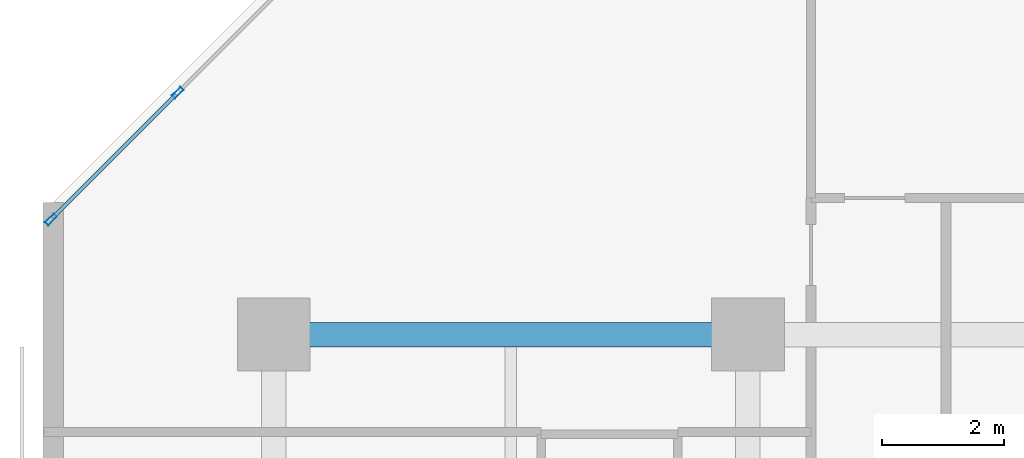
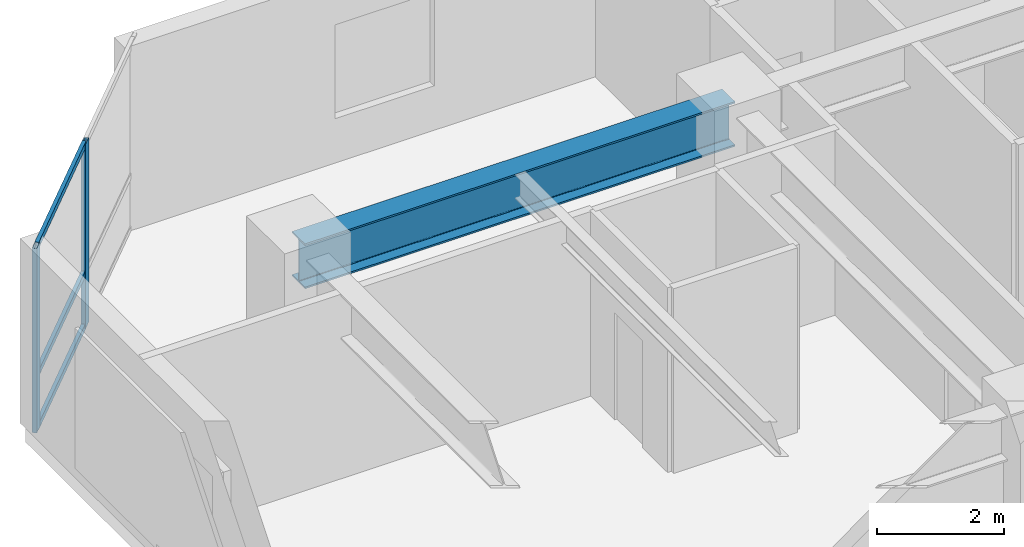
# One storey, part 3 of 12: 5 members, 1 beam, 1 element without a shape of its own.
"""IFC4 building model written with IfcOpenShell, lengths in metres."""

from ifc_helpers import new_model, si_unit, direction, frame, origin, origin_2d, place, context, subcontext, project, spatial, hollow_rectangle, i_section, extrude, material, layer, layer_set, material_profile, profile_set, type_object, element, aggregate, save


model = new_model("IFC4")

# Units and contexts
model_context = context("Model", 3, precision=1e-05, world=origin(), true_north=direction((0.0, 1.0)))
body_context = subcontext(model_context, "Body", "Model", "MODEL_VIEW")
ifc_project = project(units=[si_unit("LENGTHUNIT", "METRE"), si_unit("AREAUNIT", "SQUARE_METRE"), si_unit("VOLUMEUNIT", "CUBIC_METRE"), si_unit("PLANEANGLEUNIT", "RADIAN"), si_unit("MASSUNIT", "GRAM", prefix="KILO")], contexts=[model_context])

# Site, building, storey
site_placement = place(None, origin())
site = spatial("IfcSite", under=ifc_project, at=site_placement, CompositionType="ELEMENT")
building_placement = place(site_placement, origin())
building = spatial("IfcBuilding", under=site, at=building_placement, Name="Kestravale Grand Hotel", CompositionType="ELEMENT")
storey_placement = place(building_placement, frame((0.0, 0.0, 95.60009765625)))
storey = spatial("IfcBuildingStorey", under=building, at=storey_placement, Name="L23", CompositionType="ELEMENT", Elevation=95.60009765625)

# Beam
ifc_material_1 = material(Name="Steel ASTM A992 Grade 50", Category="steel")
ifc_material_profile_1 = material_profile(ifc_material_1, i_section(OverallWidth=0.40087890625, OverallDepth=0.861083984375, WebThickness=0.019775390625, FlangeThickness=0.032470703125, FilletRadius=0.0234375, at=origin_2d()))
ifc_profile_set_1 = profile_set([ifc_material_profile_1], Name="Steel ASTM A992 Grade 50")
beam_type = type_object("IfcBeamType", Name="B-GRD-W33", PredefinedType="BEAM", material=ifc_profile_set_1)
beam_placement = place(storey_placement, frame((7.800048828125, 38.39990234375, 3.109375), z_axis=(1.0, 0.0, 0.0), x_axis=(0.0, 1.0, 0.0)))
element("IfcBeam", 1, at=beam_placement, inside=storey, type_object=beam_type, Name="L23 girder F:2-3", PredefinedType="BEAM", context=body_context, shape_type="SweptSolid", body=[
    extrude(i_section(OverallWidth=0.40087890625, OverallDepth=0.861083984375, WebThickness=0.019775390625, FlangeThickness=0.032470703125, FilletRadius=0.0234375, at=origin_2d()), origin(), (0.0, 0.0, 1.0), 7.800048828125),
])

# Curtain wall, members
ifc_material_2 = material(Name="Thermally broken champagne-bronze aluminium and low-E glazing", Category="aluminium")
ifc_layer = layer(ifc_material_2, 0.199951171875)
ifc_layer_set = layer_set([ifc_layer], Name="CW-Z2")
curtain_wall_type = type_object("IfcCurtainWallType", Name="CW-Z2", PredefinedType="NOTDEFINED", material=ifc_layer_set)
curtain_wall_placement = place(storey_placement, origin())
curtain_wall = element("IfcCurtainWall", 2, at=curtain_wall_placement, inside=storey, type_object=curtain_wall_type, Name="L23 unitised curtain wall 18", PredefinedType="NOTDEFINED")
ifc_material_3 = material(Name="Aluminium 6063-T6 anodised", Category="aluminium")
ifc_material_profile_2 = material_profile(ifc_material_3, hollow_rectangle(XDim=0.074951171875, YDim=0.199951171875, WallThickness=0.00390625, at=origin_2d()))
ifc_profile_set_2 = profile_set([ifc_material_profile_2], Name="Aluminium 6063-T6 anodised")
member_type_1 = type_object("IfcMemberType", Name="CW-MUL-200", PredefinedType="MULLION", material=ifc_profile_set_2)
member_1_placement = place(storey_placement, frame((6.22021484375, 42.3798828125, 0.0), z_axis=(0.0, 0.0, 1.0), x_axis=(0.707106781187, -0.707106781187, 0.0)))
member_1 = element("IfcMember", 3, at=member_1_placement, type_object=member_type_1, Name="CW-Z2 mullion 2", PredefinedType="MULLION", context=body_context, shape_type="SweptSolid", body=[
    extrude(hollow_rectangle(XDim=0.074951171875, YDim=0.199951171875, WallThickness=0.00390625, at=origin_2d()), origin(), (0.0, 0.0, 1.0), 3.539794921875),
])
member_2_placement = place(storey_placement, frame((4.132568359375, 40.292236328125, 0.0), z_axis=(0.0, 0.0, 1.0), x_axis=(0.707106781187, -0.707106781187, 0.0)))
member_2 = element("IfcMember", 4, at=member_2_placement, type_object=member_type_1, Name="CW-Z2 mullion 3", PredefinedType="MULLION", context=body_context, shape_type="SweptSolid", body=[
    extrude(hollow_rectangle(XDim=0.074951171875, YDim=0.199951171875, WallThickness=0.00390625, at=origin_2d()), origin(), (0.0, 0.0, 1.0), 3.539794921875),
])
ifc_material_4 = material(Name="Aluminium 6063-T6 anodised", Category="aluminium")
ifc_material_profile_3 = material_profile(ifc_material_4, hollow_rectangle(XDim=0.06494140625, YDim=0.114990234375, WallThickness=0.003173828125, at=origin_2d()))
ifc_profile_set_3 = profile_set([ifc_material_profile_3], Name="Aluminium 6063-T6 anodised")
member_type_2 = type_object("IfcMemberType", Name="CW-TRN-115", PredefinedType="USERDEFINED", material=ifc_profile_set_3)
member_3_placement = place(storey_placement, frame((6.193603515625, 42.353271484375, 0.032470703125), z_axis=(-0.707106781187, -0.707106781187, 0.0), x_axis=(0.707106781187, -0.707106781187, 0.0)))
member_3 = element("IfcMember", 5, at=member_3_placement, type_object=member_type_2, Name="CW-Z2 transom 2.1", ObjectType="TRANSOM", PredefinedType="USERDEFINED", context=body_context, shape_type="SweptSolid", body=[
    extrude(hollow_rectangle(XDim=0.06494140625, YDim=0.114990234375, WallThickness=0.003173828125, at=origin_2d()), origin(), (0.0, 0.0, 1.0), 2.87744140625),
])
member_4_placement = place(storey_placement, frame((6.193603515625, 42.353271484375, 1.0498046875), z_axis=(-0.707106781187, -0.707106781187, 0.0), x_axis=(0.707106781187, -0.707106781187, 0.0)))
member_4 = element("IfcMember", 6, at=member_4_placement, type_object=member_type_2, Name="CW-Z2 transom 2.2", ObjectType="TRANSOM", PredefinedType="USERDEFINED", context=body_context, shape_type="SweptSolid", body=[
    extrude(hollow_rectangle(XDim=0.06494140625, YDim=0.114990234375, WallThickness=0.003173828125, at=origin_2d()), origin(), (0.0, 0.0, 1.0), 2.87744140625),
])
member_5_placement = place(storey_placement, frame((6.193603515625, 42.353271484375, 3.50732421875), z_axis=(-0.707106781187, -0.707106781187, 0.0), x_axis=(0.707106781187, -0.707106781187, 0.0)))
member_5 = element("IfcMember", 7, at=member_5_placement, type_object=member_type_2, Name="CW-Z2 transom 2.3", ObjectType="TRANSOM", PredefinedType="USERDEFINED", context=body_context, shape_type="SweptSolid", body=[
    extrude(hollow_rectangle(XDim=0.06494140625, YDim=0.114990234375, WallThickness=0.003173828125, at=origin_2d()), origin(), (0.0, 0.0, 1.0), 2.87744140625),
])
aggregate(curtain_wall, [member_1, member_2, member_3, member_4, member_5])

save(model, "model.ifc")
